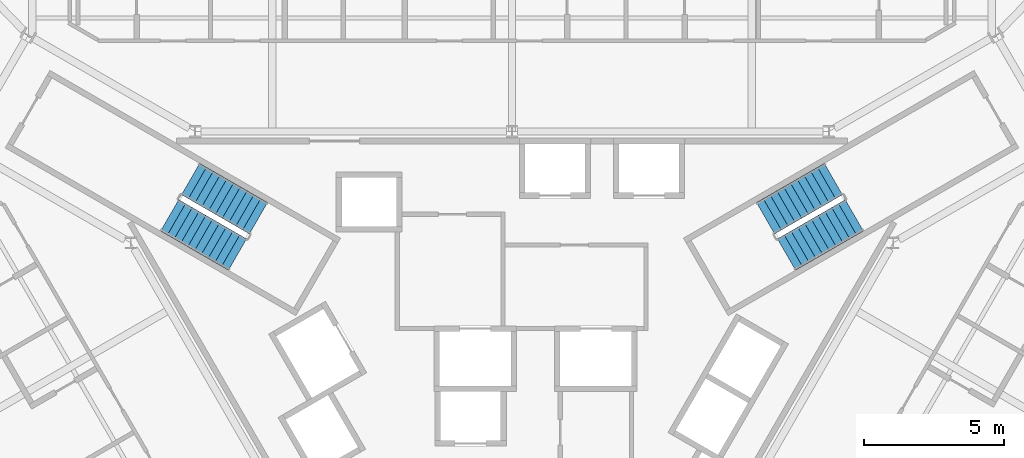
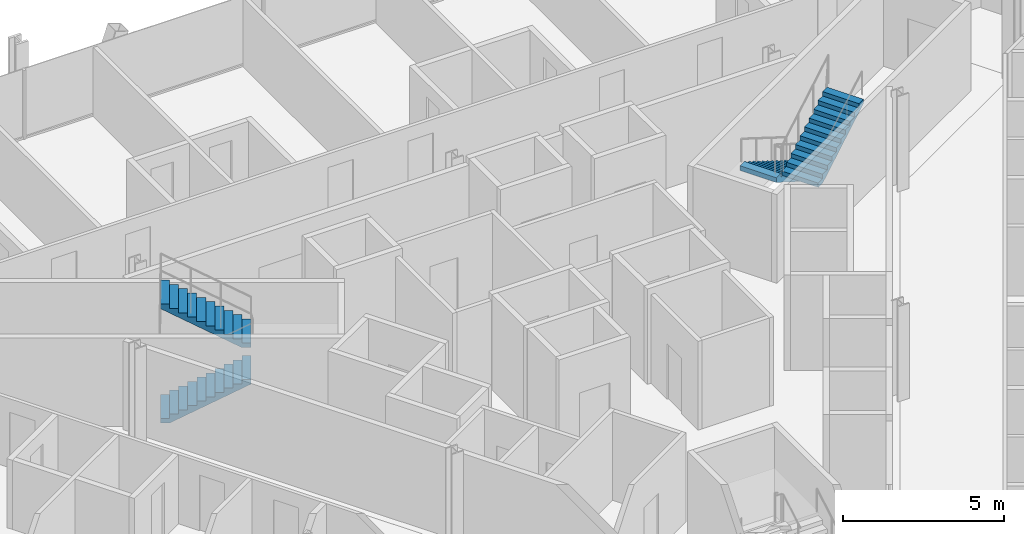
# One storey, part 18 of 20: 4 stair flights, 2 elements without a shape of their own.
"""IFC4 building model written with IfcOpenShell, lengths in metres."""

from ifc_helpers import new_model, si_unit, direction, frame, origin, place, context, subcontext, project, spatial, polyline, outline, extrude, material, type_object, element, aggregate, save


model = new_model("IFC4")

# Units and contexts
model_context = context("Model", 3, precision=1e-05, world=origin(), true_north=direction((0.0, 1.0)))
body_context = subcontext(model_context, "Body", "Model", "MODEL_VIEW")
ifc_project = project(units=[si_unit("LENGTHUNIT", "METRE"), si_unit("AREAUNIT", "SQUARE_METRE"), si_unit("VOLUMEUNIT", "CUBIC_METRE"), si_unit("PLANEANGLEUNIT", "RADIAN"), si_unit("MASSUNIT", "GRAM", prefix="KILO")], contexts=[model_context])

# Site, building, storey
site_placement = place(None, origin())
site = spatial("IfcSite", under=ifc_project, at=site_placement, CompositionType="ELEMENT")
building_placement = place(site_placement, origin())
building = spatial("IfcBuilding", under=site, at=building_placement, Name="Verrane Prism Tower", CompositionType="ELEMENT")
storey_placement = place(building_placement, frame((0.0, 0.0, 69.199951171875)))
storey = spatial("IfcBuildingStorey", under=building, at=storey_placement, Name="L15", CompositionType="ELEMENT", Elevation=69.199951171875)

# Stair, stair flights
ifc_material_1 = material(Name="Concrete C40/50", Category="concrete")
stair_type = type_object("IfcStairType", Name="Exit stair 1300 dog-leg precast concrete C40/50", PredefinedType="HALF_TURN_STAIR", material=ifc_material_1)
stair_1_placement = place(storey_placement, origin())
stair_1 = element("IfcStair", 1, at=stair_1_placement, inside=storey, type_object=stair_type, Name="Stair 1 L15", PredefinedType="HALF_TURN_STAIR")
ifc_material_2 = material(Name="Concrete C40/50", Category="concrete")
stair_flight_type = type_object("IfcStairFlightType", Name="Stair flight 1300 precast concrete C40/50", PredefinedType="STRAIGHT", material=ifc_material_2)
stair_flight_1_placement = place(storey_placement, frame((11.489501953125, 7.49951171875, 0.0), z_axis=(0.0, 0.0, 1.0), x_axis=(-0.866025403784, -0.5, 0.0)))
stair_flight_1 = element("IfcStairFlight", 2, at=stair_flight_1_placement, type_object=stair_flight_type, Name="Stair 1 flight 1", NumberOfRisers=11, NumberOfTreads=10, PredefinedType="STRAIGHT", RiserHeight=0.163636364, TreadLength=0.28, context=body_context, shape_type="SweptSolid", body=[
    extrude(outline(polyline([(0.0, 0.0), (0.0, 0.16357421875), (0.280029296875, 0.16357421875), (0.280029296875, 0.327392578125), (0.56005859375, 0.327392578125), (0.56005859375, 0.490966796875), (0.840087890625, 0.490966796875), (0.840087890625, 0.654541015625), (1.1201171875, 0.654541015625), (1.1201171875, 0.818115234375), (1.39990234375, 0.818115234375), (1.39990234375, 0.98193359375), (1.679931640625, 0.98193359375), (1.679931640625, 1.1455078125), (1.9599609375, 1.1455078125), (1.9599609375, 1.30908203125), (2.239990234375, 1.30908203125), (2.239990234375, 1.47265625), (2.52001953125, 1.47265625), (2.52001953125, 1.636474609375), (2.800048828125, 1.636474609375), (2.800048828125, 1.800048828125), (2.800048828125, 1.462646484375), (0.297119140625, 0.0), (0.0, 0.0)])), frame((0.0, 0.64990234375, 0.0), z_axis=(0.0, -1.0, 0.0), x_axis=(1.0, 0.0, 0.0)), (0.0, 0.0, 1.0), 1.300048828125),
])
stair_flight_2_placement = place(storey_placement, frame((9.814697265625, 4.800537109375, 1.800048828125), z_axis=(0.0, 0.0, 1.0), x_axis=(0.866025403784, 0.5, 0.0)))
stair_flight_2 = element("IfcStairFlight", 3, at=stair_flight_2_placement, type_object=stair_flight_type, Name="Stair 1 flight 2", NumberOfRisers=11, NumberOfTreads=10, PredefinedType="STRAIGHT", RiserHeight=0.163636364, TreadLength=0.28, context=body_context, shape_type="SweptSolid", body=[
    extrude(outline(polyline([(0.0, 0.0), (0.0, 0.16357421875), (0.280029296875, 0.16357421875), (0.280029296875, 0.327392578125), (0.56005859375, 0.327392578125), (0.56005859375, 0.490966796875), (0.840087890625, 0.490966796875), (0.840087890625, 0.654541015625), (1.1201171875, 0.654541015625), (1.1201171875, 0.818115234375), (1.39990234375, 0.818115234375), (1.39990234375, 0.98193359375), (1.679931640625, 0.98193359375), (1.679931640625, 1.1455078125), (1.9599609375, 1.1455078125), (1.9599609375, 1.30908203125), (2.239990234375, 1.30908203125), (2.239990234375, 1.47265625), (2.52001953125, 1.47265625), (2.52001953125, 1.636474609375), (2.800048828125, 1.636474609375), (2.800048828125, 1.800048828125), (2.800048828125, 1.462646484375), (0.297119140625, 0.0), (0.0, 0.0)])), frame((0.0, 0.64990234375, 0.0), z_axis=(0.0, -1.0, 0.0), x_axis=(1.0, 0.0, 0.0)), (0.0, 0.0, 1.0), 1.300048828125),
])
aggregate(stair_1, [stair_flight_1, stair_flight_2])

stair_2_placement = place(storey_placement, origin())
stair_2 = element("IfcStair", 4, at=stair_2_placement, inside=storey, type_object=stair_type, Name="Stair 2 L15", PredefinedType="HALF_TURN_STAIR")
stair_flight_3_placement = place(storey_placement, frame((-12.239501953125, 6.200439453125, 0.0), z_axis=(0.0, 0.0, 1.0), x_axis=(0.866025403784, -0.5, 0.0)))
stair_flight_3 = element("IfcStairFlight", 5, at=stair_flight_3_placement, type_object=stair_flight_type, Name="Stair 2 flight 1", NumberOfRisers=11, NumberOfTreads=10, PredefinedType="STRAIGHT", RiserHeight=0.163636364, TreadLength=0.28, context=body_context, shape_type="SweptSolid", body=[
    extrude(outline(polyline([(0.0, 0.0), (0.0, 0.16357421875), (0.280029296875, 0.16357421875), (0.280029296875, 0.327392578125), (0.56005859375, 0.327392578125), (0.56005859375, 0.490966796875), (0.840087890625, 0.490966796875), (0.840087890625, 0.654541015625), (1.1201171875, 0.654541015625), (1.1201171875, 0.818115234375), (1.39990234375, 0.818115234375), (1.39990234375, 0.98193359375), (1.679931640625, 0.98193359375), (1.679931640625, 1.1455078125), (1.9599609375, 1.1455078125), (1.9599609375, 1.30908203125), (2.239990234375, 1.30908203125), (2.239990234375, 1.47265625), (2.52001953125, 1.47265625), (2.52001953125, 1.636474609375), (2.800048828125, 1.636474609375), (2.800048828125, 1.800048828125), (2.800048828125, 1.462646484375), (0.297119140625, 0.0), (0.0, 0.0)])), frame((0.0, 0.64990234375, 0.0), z_axis=(0.0, -1.0, 0.0), x_axis=(1.0, 0.0, 0.0)), (0.0, 0.0, 1.0), 1.300048828125),
])
stair_flight_4_placement = place(storey_placement, frame((-9.064697265625, 6.099609375, 1.800048828125), z_axis=(0.0, 0.0, 1.0), x_axis=(-0.866025403784, 0.5, 0.0)))
stair_flight_4 = element("IfcStairFlight", 6, at=stair_flight_4_placement, type_object=stair_flight_type, Name="Stair 2 flight 2", NumberOfRisers=11, NumberOfTreads=10, PredefinedType="STRAIGHT", RiserHeight=0.163636364, TreadLength=0.28, context=body_context, shape_type="SweptSolid", body=[
    extrude(outline(polyline([(0.0, 0.0), (0.0, 0.16357421875), (0.280029296875, 0.16357421875), (0.280029296875, 0.327392578125), (0.56005859375, 0.327392578125), (0.56005859375, 0.490966796875), (0.840087890625, 0.490966796875), (0.840087890625, 0.654541015625), (1.1201171875, 0.654541015625), (1.1201171875, 0.818115234375), (1.39990234375, 0.818115234375), (1.39990234375, 0.98193359375), (1.679931640625, 0.98193359375), (1.679931640625, 1.1455078125), (1.9599609375, 1.1455078125), (1.9599609375, 1.30908203125), (2.239990234375, 1.30908203125), (2.239990234375, 1.47265625), (2.52001953125, 1.47265625), (2.52001953125, 1.636474609375), (2.800048828125, 1.636474609375), (2.800048828125, 1.800048828125), (2.800048828125, 1.462646484375), (0.297119140625, 0.0), (0.0, 0.0)])), frame((0.0, 0.64990234375, 0.0), z_axis=(0.0, -1.0, 0.0), x_axis=(1.0, 0.0, 0.0)), (0.0, 0.0, 1.0), 1.300048828125),
])
aggregate(stair_2, [stair_flight_3, stair_flight_4])

save(model, "model.ifc")
